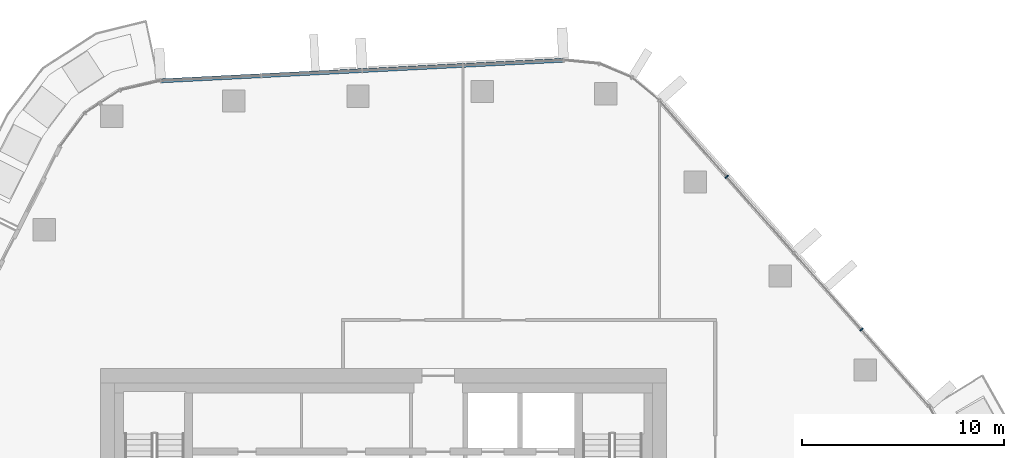
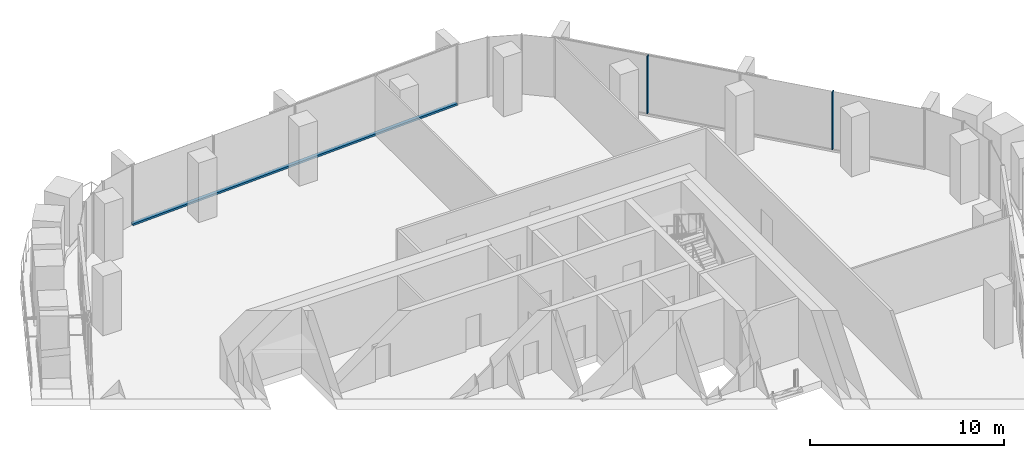
# One storey, part 7 of 21: 3 members, 2 elements without a shape of their own.
"""IFC4 building model written with IfcOpenShell, lengths in metres."""

from ifc_helpers import new_model, si_unit, direction, frame, origin, origin_2d, place, context, subcontext, project, spatial, rectangle, extrude, material, layer, layer_set, material_profile, profile_set, type_object, element, aggregate, save


model = new_model("IFC4")

# Units and contexts
model_context = context("Model", 3, precision=1e-05, world=origin(), true_north=direction((0.0, 1.0)))
body_context = subcontext(model_context, "Body", "Model", "MODEL_VIEW")
ifc_project = project(units=[si_unit("LENGTHUNIT", "METRE"), si_unit("AREAUNIT", "SQUARE_METRE"), si_unit("VOLUMEUNIT", "CUBIC_METRE"), si_unit("PLANEANGLEUNIT", "RADIAN"), si_unit("MASSUNIT", "GRAM", prefix="KILO")], contexts=[model_context])

# Site, building, storey
site_placement = place(None, origin())
site = spatial("IfcSite", under=ifc_project, at=site_placement, CompositionType="ELEMENT")
building_placement = place(site_placement, origin())
building = spatial("IfcBuilding", under=site, at=building_placement, Name="Dongbaek Canopy Tower", CompositionType="ELEMENT")
storey_placement = place(building_placement, frame((0.0, 0.0, 232.800048828125)))
storey = spatial("IfcBuildingStorey", under=building, at=storey_placement, Name="L48", CompositionType="ELEMENT", Elevation=232.800048828125)

# Curtain wall, members
ifc_material_1 = material(Name="Aluminium 6063-T6 pale anodised", Category="aluminium")
ifc_layer = layer(ifc_material_1, 0.199951171875)
ifc_layer_set = layer_set([ifc_layer], Name="CW-1 unitised tower curtain wall")
curtain_wall_type = type_object("IfcCurtainWallType", Name="CW-1 unitised tower curtain wall", PredefinedType="NOTDEFINED", material=ifc_layer_set)
curtain_wall_1_placement = place(storey_placement, origin())
curtain_wall_1 = element("IfcCurtainWall", 1, at=curtain_wall_1_placement, inside=storey, type_object=curtain_wall_type, Name="CW-1 curtain wall F0.1", PredefinedType="NOTDEFINED")
ifc_material_2 = material(Name="Aluminium 6063-T6 pale anodised", Category="aluminium")
ifc_material_profile_1 = material_profile(ifc_material_2, rectangle(XDim=0.199951171875, YDim=0.06005859375, at=origin_2d()), Name="CW-1 mullion 60 x 200")
ifc_profile_set_1 = profile_set([ifc_material_profile_1], Name="Aluminium 6063-T6 pale anodised")
member_type_1 = type_object("IfcMemberType", Name="CW-1 mullion 60 x 200", PredefinedType="MULLION", material=ifc_profile_set_1)
member_1_placement = place(storey_placement, frame((23.64501953125, 12.933837890625, 0.119873046875), z_axis=(0.0, 0.0, 1.0), x_axis=(0.749829254199, 0.661631384947, 0.0)))
member_1 = element("IfcMember", 2, at=member_1_placement, type_object=member_type_1, Name="CW-1 mullion F0.1.2", PredefinedType="MULLION", context=body_context, shape_type="SweptSolid", body=[
    extrude(rectangle(XDim=0.199951171875, YDim=0.06005859375, at=origin_2d()), origin(), (0.0, 0.0, 1.0), 3.630126953125),
])
member_2_placement = place(storey_placement, frame((16.976318359375, 20.491455078125, 0.119873046875), z_axis=(0.0, 0.0, 1.0), x_axis=(0.749829254199, 0.661631384947, 0.0)))
member_2 = element("IfcMember", 3, at=member_2_placement, type_object=member_type_1, Name="CW-1 mullion F0.1.4", PredefinedType="MULLION", context=body_context, shape_type="SweptSolid", body=[
    extrude(rectangle(XDim=0.199951171875, YDim=0.06005859375, at=origin_2d()), origin(), (0.0, 0.0, 1.0), 3.630126953125),
])
aggregate(curtain_wall_1, [member_1, member_2])

# Curtain wall, member
curtain_wall_2_placement = place(storey_placement, origin())
curtain_wall_2 = element("IfcCurtainWall", 4, at=curtain_wall_2_placement, inside=storey, type_object=curtain_wall_type, Name="CW-1 curtain wall F1.1", PredefinedType="NOTDEFINED")
ifc_material_3 = material(Name="Aluminium 6063-T6 pale anodised", Category="aluminium")
ifc_material_profile_2 = material_profile(ifc_material_3, rectangle(XDim=0.199951171875, YDim=0.1201171875, at=origin_2d()), Name="CW-1 transom 120 x 200")
ifc_profile_set_2 = profile_set([ifc_material_profile_2], Name="Aluminium 6063-T6 pale anodised")
member_type_2 = type_object("IfcMemberType", Name="CW-1 transom 120 x 200", PredefinedType="USERDEFINED", material=ifc_profile_set_2)
member_3_placement = place(storey_placement, frame((8.908447265625, 26.258544921875, 0.06005859375), z_axis=(-0.998690084747, -0.051167515365, 0.0), x_axis=(0.051167515365, -0.998690084747, 0.0)))
member_3 = element("IfcMember", 5, at=member_3_placement, type_object=member_type_2, Name="CW-1 transom F1.1.1", ObjectType="TRANSOM", PredefinedType="USERDEFINED", context=body_context, shape_type="SweptSolid", body=[
    extrude(rectangle(XDim=0.199951171875, YDim=0.1201171875, at=origin_2d()), origin(), (0.0, 0.0, 1.0), 19.958740234375),
])
aggregate(curtain_wall_2, [member_3])

save(model, "model.ifc")
